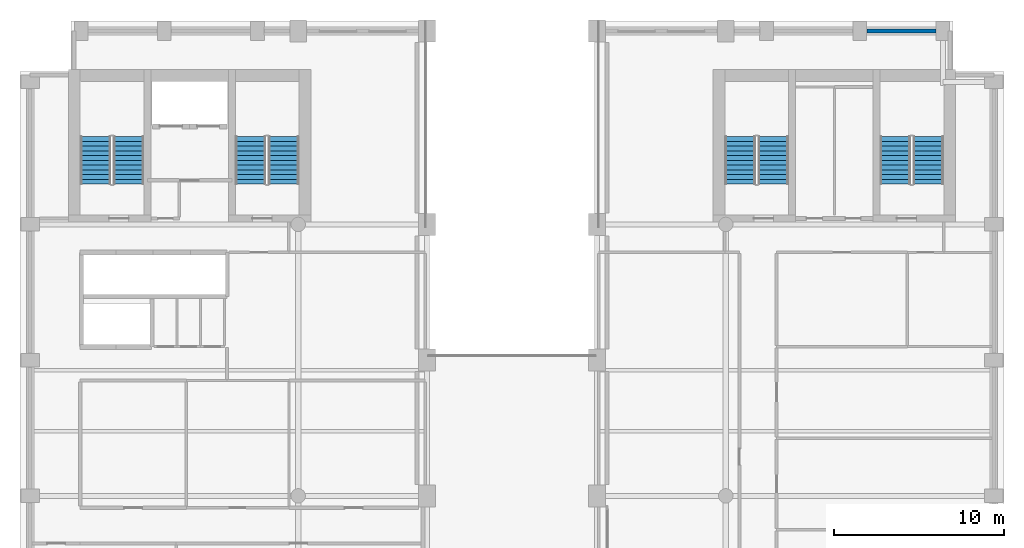
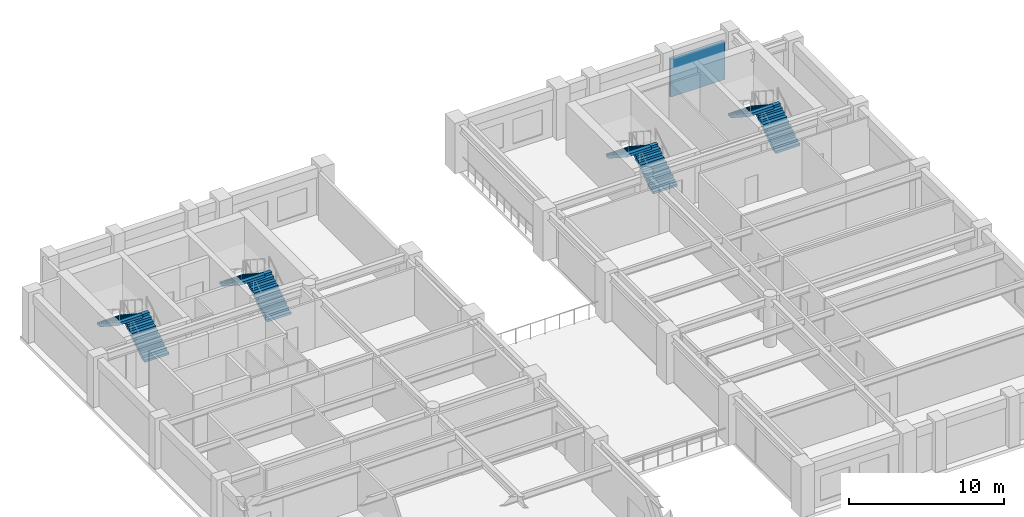
# One storey, part 7 of 10: 8 stair flights, 1 wall, 4 elements without a shape of their own.
"""IFC4 building model written with IfcOpenShell, lengths in metres."""

from ifc_helpers import new_model, si_unit, direction, frame, frame_2d, origin, place, context, subcontext, project, spatial, polyline, rectangle, outline, extrude, material, layer, layer_set, type_object, element, aggregate, save


model = new_model("IFC4")

# Units and contexts
model_context = context("Model", 3, precision=1e-05, world=origin(), true_north=direction((0.0, 1.0)))
body_context = subcontext(model_context, "Body", "Model", "MODEL_VIEW")
ifc_project = project(units=[si_unit("LENGTHUNIT", "METRE"), si_unit("AREAUNIT", "SQUARE_METRE"), si_unit("VOLUMEUNIT", "CUBIC_METRE"), si_unit("PLANEANGLEUNIT", "RADIAN"), si_unit("MASSUNIT", "GRAM", prefix="KILO")], contexts=[model_context])

# Site, building, storey
site_placement = place(None, origin())
site = spatial("IfcSite", under=ifc_project, at=site_placement, CompositionType="ELEMENT")
building_placement = place(site_placement, origin())
building = spatial("IfcBuilding", under=site, at=building_placement, Name="Sulina Concourse Tower", CompositionType="ELEMENT")
storey_placement = place(building_placement, frame((0.0, 0.0, 182.60009765625)))
storey = spatial("IfcBuildingStorey", under=building, at=storey_placement, Name="L44", CompositionType="ELEMENT", Elevation=182.60009765625)

# Wall
ifc_material_1 = material(Name="Precast concrete C50/60", Category="concrete")
ifc_layer = layer(ifc_material_1, 0.239990234375)
ifc_layer_set = layer_set([ifc_layer], Name="Precast concrete C50/60")
wall_type = type_object("IfcWallType", Name="Crown Precast Masonry-Frame Facade Wall 240mm", PredefinedType="SOLIDWALL", material=ifc_layer_set)
wall_placement = place(storey_placement, frame((49.919921875, 45.39990234375, 0.0), z_axis=(0.0, 0.0, 1.0), x_axis=(1.0, 0.0, 0.0)))
element("IfcWall", 1, at=wall_placement, inside=storey, type_object=wall_type, Name="L44 exterior precast wall N9", PredefinedType="SOLIDWALL", context=body_context, shape_type="SweptSolid", body=[
    extrude(rectangle(XDim=4.06005859375, YDim=0.239990234375, at=frame_2d((2.030029296875, 0.0))), origin(), (0.0, 0.0, 1.0), 3.0),
])

# Stair, stair flights
ifc_material_2 = material(Name="Concrete C50/60", Category="concrete")
stair_type_1 = type_object("IfcStairType", Name="Portal & Podium Core Exit Stair 1820mm", PredefinedType="HALF_TURN_STAIR", material=ifc_material_2)
stair_1_placement = place(storey_placement, origin())
stair_1 = element("IfcStair", 2, at=stair_1_placement, inside=storey, type_object=stair_type_1, Name="L44 ST-3", PredefinedType="HALF_TURN_STAIR")
ifc_material_3 = material(Name="Concrete C50/60", Category="concrete")
stair_flight_type_1 = type_object("IfcStairFlightType", Name="Portal & Podium Core Exit Stair 1820mm Flight", PredefinedType="STRAIGHT", material=ifc_material_3)
stair_flight_1_placement = place(storey_placement, frame((44.405029296875, 36.375, 0.0), z_axis=(0.0, 0.0, 1.0), x_axis=(0.0, 1.0, 0.0)))
stair_flight_1 = element("IfcStairFlight", 3, at=stair_flight_1_placement, type_object=stair_flight_type_1, Name="ST-3 flight 1", NumberOfRisers=11, NumberOfTreads=10, PredefinedType="STRAIGHT", RiserHeight=0.181818182, TreadLength=0.28, context=body_context, shape_type="SweptSolid", body=[
    extrude(outline(polyline([(0.0, 0.0), (0.0, 0.181884765625), (0.280029296875, 0.181884765625), (0.280029296875, 0.363525390625), (0.56005859375, 0.363525390625), (0.56005859375, 0.54541015625), (0.840087890625, 0.54541015625), (0.840087890625, 0.727294921875), (1.1201171875, 0.727294921875), (1.1201171875, 0.9091796875), (1.39990234375, 0.9091796875), (1.39990234375, 1.0908203125), (1.679931640625, 1.0908203125), (1.679931640625, 1.272705078125), (1.9599609375, 1.272705078125), (1.9599609375, 1.45458984375), (2.239990234375, 1.45458984375), (2.239990234375, 1.636474609375), (2.52001953125, 1.636474609375), (2.52001953125, 1.818115234375), (2.800048828125, 1.818115234375), (2.800048828125, 2.0), (2.800048828125, 1.603759765625), (0.330322265625, 0.0), (0.0, 0.0)])), frame((0.0, 0.89990234375, 0.0), z_axis=(0.0, -1.0, 0.0), x_axis=(1.0, 0.0, 0.0)), (0.0, 0.0, 1.0), 1.800048828125),
])
stair_flight_2_placement = place(storey_placement, frame((42.455078125, 39.175048828125, 2.0), z_axis=(0.0, 0.0, 1.0), x_axis=(0.0, -1.0, 0.0)))
stair_flight_2 = element("IfcStairFlight", 4, at=stair_flight_2_placement, type_object=stair_flight_type_1, Name="ST-3 flight 2", NumberOfRisers=11, NumberOfTreads=10, PredefinedType="STRAIGHT", RiserHeight=0.181818182, TreadLength=0.28, context=body_context, shape_type="SweptSolid", body=[
    extrude(outline(polyline([(0.0, 0.0), (0.0, 0.181884765625), (0.280029296875, 0.181884765625), (0.280029296875, 0.363525390625), (0.56005859375, 0.363525390625), (0.56005859375, 0.54541015625), (0.840087890625, 0.54541015625), (0.840087890625, 0.727294921875), (1.1201171875, 0.727294921875), (1.1201171875, 0.9091796875), (1.39990234375, 0.9091796875), (1.39990234375, 1.0908203125), (1.679931640625, 1.0908203125), (1.679931640625, 1.272705078125), (1.9599609375, 1.272705078125), (1.9599609375, 1.45458984375), (2.239990234375, 1.45458984375), (2.239990234375, 1.636474609375), (2.52001953125, 1.636474609375), (2.52001953125, 1.818115234375), (2.800048828125, 1.818115234375), (2.800048828125, 2.0), (2.800048828125, 1.603759765625), (0.330322265625, 0.0), (0.0, 0.0)])), frame((0.0, 0.89990234375, 0.0), z_axis=(0.0, -1.0, 0.0), x_axis=(1.0, 0.0, 0.0)), (0.0, 0.0, 1.0), 1.800048828125),
])
aggregate(stair_1, [stair_flight_1, stair_flight_2])

stair_2_placement = place(storey_placement, origin())
stair_2 = element("IfcStair", 5, at=stair_2_placement, inside=storey, type_object=stair_type_1, Name="L44 ST-4", PredefinedType="HALF_TURN_STAIR")
stair_flight_3_placement = place(storey_placement, frame((53.544921875, 36.375, 0.0), z_axis=(0.0, 0.0, 1.0), x_axis=(0.0, 1.0, 0.0)))
stair_flight_3 = element("IfcStairFlight", 6, at=stair_flight_3_placement, type_object=stair_flight_type_1, Name="ST-4 flight 1", NumberOfRisers=11, NumberOfTreads=10, PredefinedType="STRAIGHT", RiserHeight=0.181818182, TreadLength=0.28, context=body_context, shape_type="SweptSolid", body=[
    extrude(outline(polyline([(0.0, 0.0), (0.0, 0.181884765625), (0.280029296875, 0.181884765625), (0.280029296875, 0.363525390625), (0.56005859375, 0.363525390625), (0.56005859375, 0.54541015625), (0.840087890625, 0.54541015625), (0.840087890625, 0.727294921875), (1.1201171875, 0.727294921875), (1.1201171875, 0.9091796875), (1.39990234375, 0.9091796875), (1.39990234375, 1.0908203125), (1.679931640625, 1.0908203125), (1.679931640625, 1.272705078125), (1.9599609375, 1.272705078125), (1.9599609375, 1.45458984375), (2.239990234375, 1.45458984375), (2.239990234375, 1.636474609375), (2.52001953125, 1.636474609375), (2.52001953125, 1.818115234375), (2.800048828125, 1.818115234375), (2.800048828125, 2.0), (2.800048828125, 1.603759765625), (0.330322265625, 0.0), (0.0, 0.0)])), frame((0.0, 0.89990234375, 0.0), z_axis=(0.0, -1.0, 0.0), x_axis=(1.0, 0.0, 0.0)), (0.0, 0.0, 1.0), 1.800048828125),
])
stair_flight_4_placement = place(storey_placement, frame((51.594970703125, 39.175048828125, 2.0), z_axis=(0.0, 0.0, 1.0), x_axis=(0.0, -1.0, 0.0)))
stair_flight_4 = element("IfcStairFlight", 7, at=stair_flight_4_placement, type_object=stair_flight_type_1, Name="ST-4 flight 2", NumberOfRisers=11, NumberOfTreads=10, PredefinedType="STRAIGHT", RiserHeight=0.181818182, TreadLength=0.28, context=body_context, shape_type="SweptSolid", body=[
    extrude(outline(polyline([(0.0, 0.0), (0.0, 0.181884765625), (0.280029296875, 0.181884765625), (0.280029296875, 0.363525390625), (0.56005859375, 0.363525390625), (0.56005859375, 0.54541015625), (0.840087890625, 0.54541015625), (0.840087890625, 0.727294921875), (1.1201171875, 0.727294921875), (1.1201171875, 0.9091796875), (1.39990234375, 0.9091796875), (1.39990234375, 1.0908203125), (1.679931640625, 1.0908203125), (1.679931640625, 1.272705078125), (1.9599609375, 1.272705078125), (1.9599609375, 1.45458984375), (2.239990234375, 1.45458984375), (2.239990234375, 1.636474609375), (2.52001953125, 1.636474609375), (2.52001953125, 1.818115234375), (2.800048828125, 1.818115234375), (2.800048828125, 2.0), (2.800048828125, 1.603759765625), (0.330322265625, 0.0), (0.0, 0.0)])), frame((0.0, 0.89990234375, 0.0), z_axis=(0.0, -1.0, 0.0), x_axis=(1.0, 0.0, 0.0)), (0.0, 0.0, 1.0), 1.800048828125),
])
aggregate(stair_2, [stair_flight_3, stair_flight_4])

ifc_material_4 = material(Name="Concrete C50/60", Category="concrete")
stair_type_2 = type_object("IfcStairType", Name="Primary Core Dog-Leg Exit Stair 1800mm", PredefinedType="HALF_TURN_STAIR", material=ifc_material_4)
stair_3_placement = place(storey_placement, origin())
stair_3 = element("IfcStair", 8, at=stair_3_placement, inside=storey, type_object=stair_type_2, Name="L44 ST-1", PredefinedType="HALF_TURN_STAIR")
ifc_material_5 = material(Name="Concrete C50/60", Category="concrete")
stair_flight_type_2 = type_object("IfcStairFlightType", Name="Primary Core Dog-Leg Exit Stair 1800mm Flight", PredefinedType="STRAIGHT", material=ifc_material_5)
stair_flight_5_placement = place(storey_placement, frame((6.405029296875, 36.375, 0.0), z_axis=(0.0, 0.0, 1.0), x_axis=(0.0, 1.0, 0.0)))
stair_flight_5 = element("IfcStairFlight", 9, at=stair_flight_5_placement, type_object=stair_flight_type_2, Name="ST-1 flight 1", NumberOfRisers=11, NumberOfTreads=10, PredefinedType="STRAIGHT", RiserHeight=0.181818182, TreadLength=0.28, context=body_context, shape_type="SweptSolid", body=[
    extrude(outline(polyline([(0.0, 0.0), (0.0, 0.181884765625), (0.280029296875, 0.181884765625), (0.280029296875, 0.363525390625), (0.56005859375, 0.363525390625), (0.56005859375, 0.54541015625), (0.840087890625, 0.54541015625), (0.840087890625, 0.727294921875), (1.1201171875, 0.727294921875), (1.1201171875, 0.9091796875), (1.39990234375, 0.9091796875), (1.39990234375, 1.0908203125), (1.679931640625, 1.0908203125), (1.679931640625, 1.272705078125), (1.9599609375, 1.272705078125), (1.9599609375, 1.45458984375), (2.239990234375, 1.45458984375), (2.239990234375, 1.636474609375), (2.52001953125, 1.636474609375), (2.52001953125, 1.818115234375), (2.800048828125, 1.818115234375), (2.800048828125, 2.0), (2.800048828125, 1.603759765625), (0.330322265625, 0.0), (0.0, 0.0)])), frame((0.0, 0.89990234375, 0.0), z_axis=(0.0, -1.0, 0.0), x_axis=(1.0, 0.0, 0.0)), (0.0, 0.0, 1.0), 1.800048828125),
])
stair_flight_6_placement = place(storey_placement, frame((4.455078125, 39.175048828125, 2.0), z_axis=(0.0, 0.0, 1.0), x_axis=(0.0, -1.0, 0.0)))
stair_flight_6 = element("IfcStairFlight", 10, at=stair_flight_6_placement, type_object=stair_flight_type_2, Name="ST-1 flight 2", NumberOfRisers=11, NumberOfTreads=10, PredefinedType="STRAIGHT", RiserHeight=0.181818182, TreadLength=0.28, context=body_context, shape_type="SweptSolid", body=[
    extrude(outline(polyline([(0.0, 0.0), (0.0, 0.181884765625), (0.280029296875, 0.181884765625), (0.280029296875, 0.363525390625), (0.56005859375, 0.363525390625), (0.56005859375, 0.54541015625), (0.840087890625, 0.54541015625), (0.840087890625, 0.727294921875), (1.1201171875, 0.727294921875), (1.1201171875, 0.9091796875), (1.39990234375, 0.9091796875), (1.39990234375, 1.0908203125), (1.679931640625, 1.0908203125), (1.679931640625, 1.272705078125), (1.9599609375, 1.272705078125), (1.9599609375, 1.45458984375), (2.239990234375, 1.45458984375), (2.239990234375, 1.636474609375), (2.52001953125, 1.636474609375), (2.52001953125, 1.818115234375), (2.800048828125, 1.818115234375), (2.800048828125, 2.0), (2.800048828125, 1.603759765625), (0.330322265625, 0.0), (0.0, 0.0)])), frame((0.0, 0.89990234375, 0.0), z_axis=(0.0, -1.0, 0.0), x_axis=(1.0, 0.0, 0.0)), (0.0, 0.0, 1.0), 1.800048828125),
])
aggregate(stair_3, [stair_flight_5, stair_flight_6])

stair_4_placement = place(storey_placement, origin())
stair_4 = element("IfcStair", 11, at=stair_4_placement, inside=storey, type_object=stair_type_2, Name="L44 ST-2", PredefinedType="HALF_TURN_STAIR")
stair_flight_7_placement = place(storey_placement, frame((15.544921875, 36.375, 0.0), z_axis=(0.0, 0.0, 1.0), x_axis=(0.0, 1.0, 0.0)))
stair_flight_7 = element("IfcStairFlight", 12, at=stair_flight_7_placement, type_object=stair_flight_type_2, Name="ST-2 flight 1", NumberOfRisers=11, NumberOfTreads=10, PredefinedType="STRAIGHT", RiserHeight=0.181818182, TreadLength=0.28, context=body_context, shape_type="SweptSolid", body=[
    extrude(outline(polyline([(0.0, 0.0), (0.0, 0.181884765625), (0.280029296875, 0.181884765625), (0.280029296875, 0.363525390625), (0.56005859375, 0.363525390625), (0.56005859375, 0.54541015625), (0.840087890625, 0.54541015625), (0.840087890625, 0.727294921875), (1.1201171875, 0.727294921875), (1.1201171875, 0.9091796875), (1.39990234375, 0.9091796875), (1.39990234375, 1.0908203125), (1.679931640625, 1.0908203125), (1.679931640625, 1.272705078125), (1.9599609375, 1.272705078125), (1.9599609375, 1.45458984375), (2.239990234375, 1.45458984375), (2.239990234375, 1.636474609375), (2.52001953125, 1.636474609375), (2.52001953125, 1.818115234375), (2.800048828125, 1.818115234375), (2.800048828125, 2.0), (2.800048828125, 1.603759765625), (0.330322265625, 0.0), (0.0, 0.0)])), frame((0.0, 0.89990234375, 0.0), z_axis=(0.0, -1.0, 0.0), x_axis=(1.0, 0.0, 0.0)), (0.0, 0.0, 1.0), 1.800048828125),
])
stair_flight_8_placement = place(storey_placement, frame((13.594970703125, 39.175048828125, 2.0), z_axis=(0.0, 0.0, 1.0), x_axis=(0.0, -1.0, 0.0)))
stair_flight_8 = element("IfcStairFlight", 13, at=stair_flight_8_placement, type_object=stair_flight_type_2, Name="ST-2 flight 2", NumberOfRisers=11, NumberOfTreads=10, PredefinedType="STRAIGHT", RiserHeight=0.181818182, TreadLength=0.28, context=body_context, shape_type="SweptSolid", body=[
    extrude(outline(polyline([(0.0, 0.0), (0.0, 0.181884765625), (0.280029296875, 0.181884765625), (0.280029296875, 0.363525390625), (0.56005859375, 0.363525390625), (0.56005859375, 0.54541015625), (0.840087890625, 0.54541015625), (0.840087890625, 0.727294921875), (1.1201171875, 0.727294921875), (1.1201171875, 0.9091796875), (1.39990234375, 0.9091796875), (1.39990234375, 1.0908203125), (1.679931640625, 1.0908203125), (1.679931640625, 1.272705078125), (1.9599609375, 1.272705078125), (1.9599609375, 1.45458984375), (2.239990234375, 1.45458984375), (2.239990234375, 1.636474609375), (2.52001953125, 1.636474609375), (2.52001953125, 1.818115234375), (2.800048828125, 1.818115234375), (2.800048828125, 2.0), (2.800048828125, 1.603759765625), (0.330322265625, 0.0), (0.0, 0.0)])), frame((0.0, 0.89990234375, 0.0), z_axis=(0.0, -1.0, 0.0), x_axis=(1.0, 0.0, 0.0)), (0.0, 0.0, 1.0), 1.800048828125),
])
aggregate(stair_4, [stair_flight_7, stair_flight_8])

save(model, "model.ifc")
